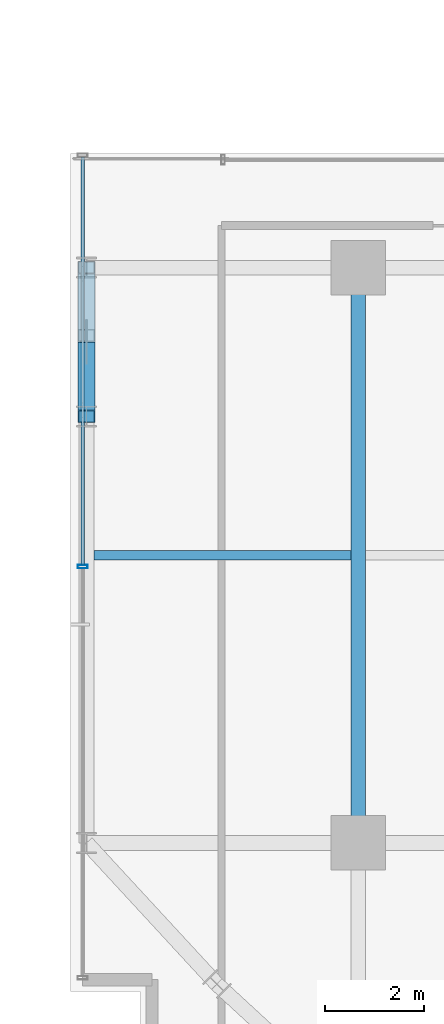
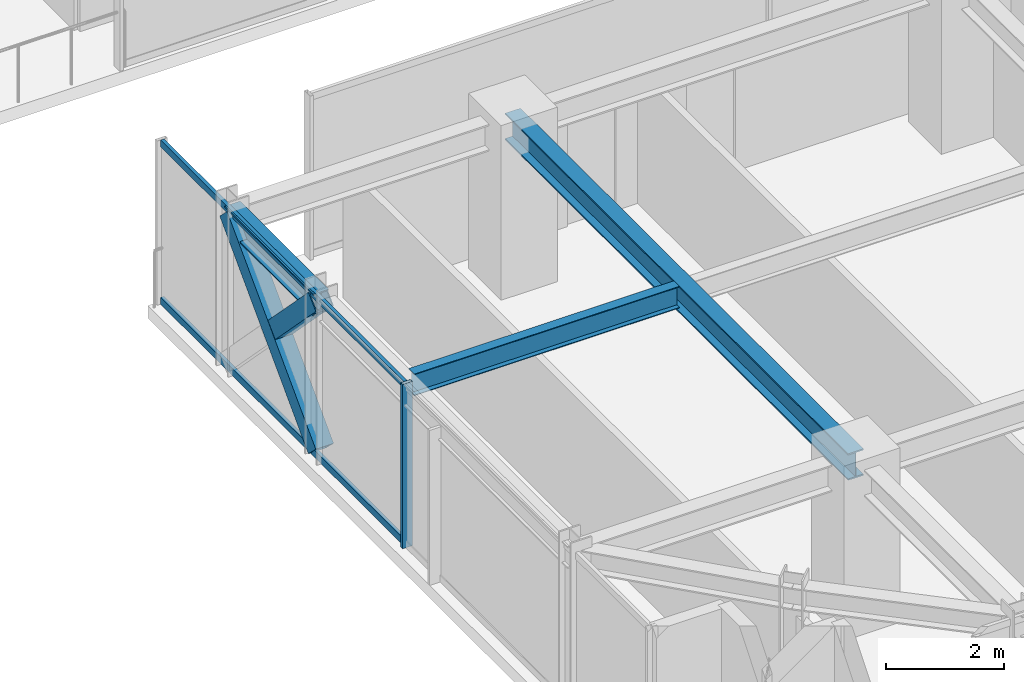
# One storey, part 4 of 43: 5 members, 3 beams, 1 element without a shape of its own.
"""IFC4 building model written with IfcOpenShell, lengths in metres."""

from ifc_helpers import new_model, si_unit, direction, frame, origin, origin_2d, place, context, subcontext, project, spatial, hollow_rectangle, i_section, extrude, source, transform, mapped, material, material_profile, profile_set, type_object, element, aggregate, save


model = new_model("IFC4")

# Units and contexts
model_context = context("Model", 3, precision=1e-05, world=origin(), true_north=direction((0.0, 1.0)))
body_context = subcontext(model_context, "Body", "Model", "MODEL_VIEW")
ifc_project = project(units=[si_unit("LENGTHUNIT", "METRE"), si_unit("AREAUNIT", "SQUARE_METRE"), si_unit("VOLUMEUNIT", "CUBIC_METRE"), si_unit("PLANEANGLEUNIT", "RADIAN"), si_unit("MASSUNIT", "GRAM", prefix="KILO")], contexts=[model_context])

# Site, building, storey
site_placement = place(None, origin())
site = spatial("IfcSite", under=ifc_project, at=site_placement, CompositionType="ELEMENT")
building_placement = place(site_placement, origin())
building = spatial("IfcBuilding", under=site, at=building_placement, Name="Nahalor Promenade Grand Hotel", CompositionType="ELEMENT")
storey_placement = place(building_placement, frame((0.0, 0.0, 181.85009765625)))
storey = spatial("IfcBuildingStorey", under=building, at=storey_placement, Name="L46", CompositionType="ELEMENT", Elevation=181.85009765625)

# Beams
ifc_material_1 = material(Name="Steel S355JR", Category="steel")
ifc_material_profile_1 = material_profile(ifc_material_1, i_section(OverallWidth=0.3, OverallDepth=0.55, WebThickness=0.015, FlangeThickness=0.029, at=origin_2d()), Name="HEB 550")
ifc_profile_set_1 = profile_set([ifc_material_profile_1], Name="Steel S355JR")
beam_type_1 = type_object("IfcBeamType", Name="Beam-Girder-HEB550", PredefinedType="BEAM", material=ifc_profile_set_1)
shared_shape_1 = source(origin(), body_context, "Body", "SweptSolid", [
    extrude(i_section(OverallWidth=0.3, OverallDepth=0.55, WebThickness=0.015, FlangeThickness=0.029, at=origin_2d()), origin(), (0.0, 0.0, 1.0), 11.60009765625),
])
beam_1_placement = place(storey_placement, frame((-17.0, -17.0, 3.114990234375), z_axis=(0.0, 1.0, 0.0), x_axis=(-1.0, 0.0, 0.0)))
element("IfcBeam", 1, at=beam_1_placement, inside=storey, type_object=beam_type_1, Name="BM-L46-GY-0-1", PredefinedType="BEAM", context=body_context, shape_type="MappedRepresentation", body=[
    mapped(shared_shape_1, transform((0.0, 0.0, 0.0), scale=1.0)),
])
ifc_material_profile_2 = material_profile(ifc_material_1, i_section(OverallWidth=0.19, OverallDepth=0.45, WebThickness=0.0094, FlangeThickness=0.0146, at=origin_2d()), Name="IPE 450")
ifc_profile_set_2 = profile_set([ifc_material_profile_2], Name="Steel S355JR")
beam_type_2 = type_object("IfcBeamType", Name="Beam-Joist-IPE450", PredefinedType="JOIST", material=ifc_profile_set_2)
shared_shape_2 = source(origin(), body_context, "Body", "SweptSolid", [
    extrude(i_section(OverallWidth=0.19, OverallDepth=0.45, WebThickness=0.0094, FlangeThickness=0.0146, at=origin_2d()), origin(), (0.0, 0.0, 1.0), 5.18017578125),
])
beam_2_placement = place(storey_placement, frame((-22.330078125, -11.199951171875, 3.164794921875), z_axis=(1.0, 0.0, 0.0), x_axis=(0.0, 1.0, 0.0)))
element("IfcBeam", 2, at=beam_2_placement, inside=storey, type_object=beam_type_2, Name="BM-L46-JSW-0-0", PredefinedType="JOIST", context=body_context, shape_type="MappedRepresentation", body=[
    mapped(shared_shape_2, transform((0.0, 0.0, 0.0), scale=1.0)),
])
ifc_material_profile_3 = material_profile(ifc_material_1, i_section(OverallWidth=0.3, OverallDepth=0.45, WebThickness=0.014, FlangeThickness=0.026, at=origin_2d()), Name="HEB 450")
ifc_profile_set_3 = profile_set([ifc_material_profile_3], Name="Steel S355JR")
beam_type_3 = type_object("IfcBeamType", Name="Beam-Spandrel-HEB450", PredefinedType="SPANDREL", material=ifc_profile_set_3)
shared_shape_3 = source(origin(), body_context, "Body", "SweptSolid", [
    extrude(i_section(OverallWidth=0.3, OverallDepth=0.45, WebThickness=0.014, FlangeThickness=0.026, at=origin_2d()), origin(), (0.0, 0.0, 1.0), 3.0),
])
beam_3_placement = place(storey_placement, frame((-22.47998046875, -8.39990234375, 3.164794921875), z_axis=(0.0, 1.0, 0.0), x_axis=(-1.0, 0.0, 0.0)))
element("IfcBeam", 3, at=beam_3_placement, inside=storey, type_object=beam_type_3, Name="BM-L46-SP-W-1", PredefinedType="SPANDREL", context=body_context, shape_type="MappedRepresentation", body=[
    mapped(shared_shape_3, transform((0.0, 0.0, 0.0), scale=1.0)),
])

# Members
ifc_material_profile_4 = material_profile(ifc_material_1, hollow_rectangle(XDim=0.35, YDim=0.35, WallThickness=0.02, at=origin_2d()), Name="SHS 350x350x20")
ifc_profile_set_4 = profile_set([ifc_material_profile_4], Name="Steel S355JR")
member_type_1 = type_object("IfcMemberType", Name="Mem-VoidBrace-SHS350", PredefinedType="BRACE", material=ifc_profile_set_4)
shared_shape_4 = source(origin(), body_context, "Body", "SweptSolid", [
    extrude(hollow_rectangle(XDim=0.35, YDim=0.35, WallThickness=0.02, at=origin_2d()), origin(), (0.0, 0.0, 1.0), 1.96630859375),
])
member_1_placement = place(storey_placement, frame((-22.47998046875, -7.0302734375, 1.8291015625), z_axis=(0.0, -0.696537426897, 0.717520461682), x_axis=(1.0, 0.0, 0.0)))
element("IfcMember", 4, at=member_1_placement, inside=storey, type_object=member_type_1, Name="EXO-L46-VX2-W0B", PredefinedType="BRACE", context=body_context, shape_type="MappedRepresentation", body=[
    mapped(shared_shape_4, transform((0.0, 0.0, 0.0), scale=1.0)),
])
shared_shape_5 = source(origin(), body_context, "Body", "SweptSolid", [
    extrude(hollow_rectangle(XDim=0.35, YDim=0.35, WallThickness=0.02, at=origin_2d()), origin(), (0.0, 0.0, 1.0), 4.306884765625),
])
member_2_placement = place(storey_placement, frame((-22.47998046875, -8.39990234375, 0.14990234375), z_axis=(0.0, 0.696570665899, 0.717488193219), x_axis=(-1.0, 0.0, 0.0)))
element("IfcMember", 5, at=member_2_placement, inside=storey, type_object=member_type_1, Name="EXO-L46-VX1-W0", PredefinedType="BRACE", context=body_context, shape_type="MappedRepresentation", body=[
    mapped(shared_shape_5, transform((0.0, 0.0, 0.0), scale=1.0)),
])

# Curtain wall, members
ifc_material_2 = material(Name="Anodised Bronze Aluminium EN AW-6063 T6", Category="aluminium")
curtain_wall_type = type_object("IfcCurtainWallType", Name="CW3 Elliptical-Void Collar Unitised Curtain Wall", PredefinedType="USERDEFINED", material=ifc_material_2)
curtain_wall_placement = place(storey_placement, origin())
curtain_wall = element("IfcCurtainWall", 6, at=curtain_wall_placement, inside=storey, type_object=curtain_wall_type, Name="L46 Curtain Wall CW-L46-W-1", ObjectType="UNITISED_CURTAIN_WALL", PredefinedType="USERDEFINED")
ifc_material_profile_5 = material_profile(ifc_material_2, hollow_rectangle(XDim=0.07, YDim=0.2, WallThickness=0.005, at=origin_2d()), Name="CWM 70x200x5")
ifc_profile_set_5 = profile_set([ifc_material_profile_5], Name="Anodised Bronze Aluminium EN AW-6063 T6")
member_type_2 = type_object("IfcMemberType", Name="CWM3 Void Collar Mullion 70x200", PredefinedType="MULLION", material=ifc_profile_set_5)
shared_shape_6 = source(origin(), body_context, "Body", "SweptSolid", [
    extrude(hollow_rectangle(XDim=0.07, YDim=0.2, WallThickness=0.005, at=origin_2d()), origin(), (0.0, 0.0, 1.0), 3.389892578125),
])
member_3_placement = place(storey_placement, frame((-22.56005859375, -11.429931640625, 0.0), z_axis=(0.0, 0.0, 1.0), x_axis=(0.0, 1.0, 0.0)))
member_3 = element("IfcMember", 7, at=member_3_placement, type_object=member_type_2, Name="CW-L46-W-1 Mullion 1", PredefinedType="MULLION", context=body_context, shape_type="MappedRepresentation", body=[
    mapped(shared_shape_6, transform((0.0, 0.0, 0.0), scale=1.0)),
])
ifc_material_profile_6 = material_profile(ifc_material_2, hollow_rectangle(XDim=0.07, YDim=0.14, WallThickness=0.004, at=origin_2d()), Name="CWT 70x140x4")
ifc_profile_set_6 = profile_set([ifc_material_profile_6], Name="Anodised Bronze Aluminium EN AW-6063 T6")
member_type_3 = type_object("IfcMemberType", Name="CWT3 Void Collar Transom 70x140", PredefinedType="USERDEFINED", material=ifc_profile_set_6)
shared_shape_7 = source(origin(), body_context, "Body", "SweptSolid", [
    extrude(hollow_rectangle(XDim=0.07, YDim=0.14, WallThickness=0.004, at=origin_2d()), origin(), (0.0, 0.0, 1.0), 8.22509765625),
])
member_4_placement = place(storey_placement, frame((-22.56005859375, -11.39501953125, 0.06982421875), z_axis=(0.0, 1.0, 0.0), x_axis=(-1.0, 0.0, 0.0)))
member_4 = element("IfcMember", 8, at=member_4_placement, type_object=member_type_3, Name="CW-L46-W-1 Transom 1-0", ObjectType="TRANSOM", PredefinedType="USERDEFINED", context=body_context, shape_type="MappedRepresentation", body=[
    mapped(shared_shape_7, transform((0.0, 0.0, 0.0), scale=1.0)),
])
member_5_placement = place(storey_placement, frame((-22.56005859375, -11.39501953125, 3.31982421875), z_axis=(0.0, 1.0, 0.0), x_axis=(-1.0, 0.0, 0.0)))
member_5 = element("IfcMember", 9, at=member_5_placement, type_object=member_type_3, Name="CW-L46-W-1 Transom 1-1", ObjectType="TRANSOM", PredefinedType="USERDEFINED", context=body_context, shape_type="MappedRepresentation", body=[
    mapped(shared_shape_7, transform((0.0, 0.0, 0.0), scale=1.0)),
])
aggregate(curtain_wall, [member_3, member_4, member_5])

save(model, "model.ifc")
